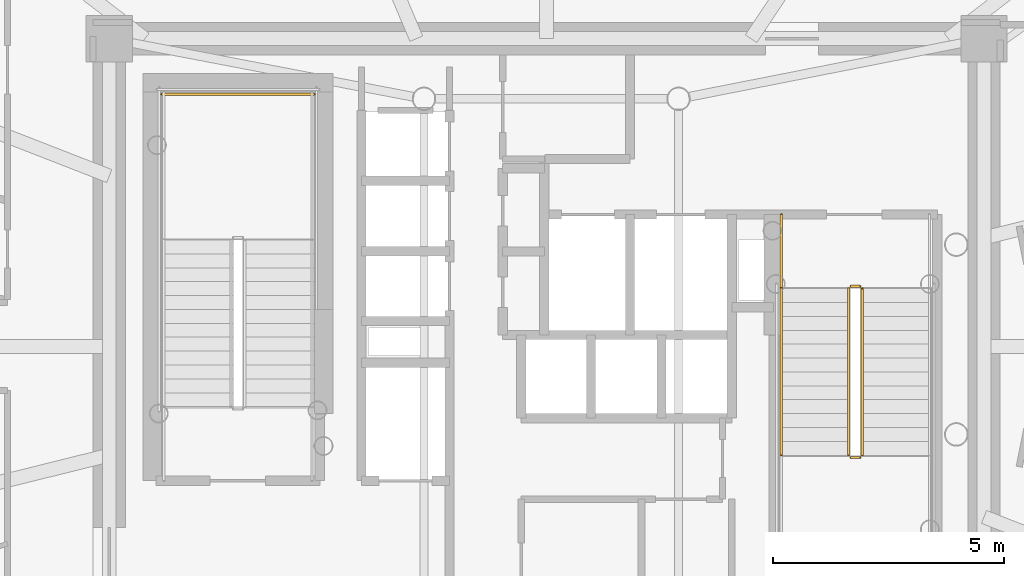
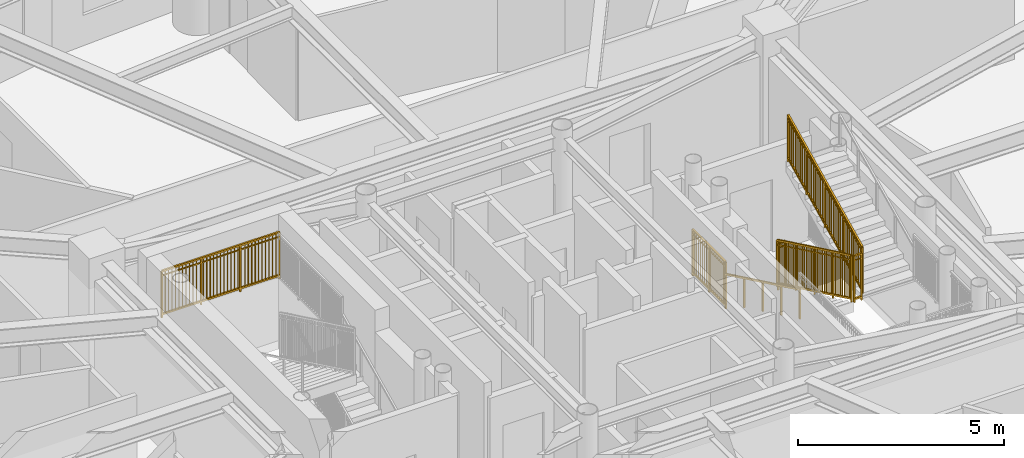
# One storey, part 16 of 18: 7 railings.
"""IFC4 building model written with IfcOpenShell, lengths in metres."""

from ifc_helpers import new_model, si_unit, direction, frame, origin, origin_2d, place, context, subcontext, project, spatial, rectangle, extrude, source, transform, mapped, material, type_object, element, save


model = new_model("IFC4")

# Units and contexts
model_context = context("Model", 3, precision=1e-05, world=origin(), true_north=direction((0.0, 1.0)))
body_context = subcontext(model_context, "Body", "Model", "MODEL_VIEW")
ifc_project = project(units=[si_unit("LENGTHUNIT", "METRE"), si_unit("AREAUNIT", "SQUARE_METRE"), si_unit("VOLUMEUNIT", "CUBIC_METRE"), si_unit("PLANEANGLEUNIT", "RADIAN"), si_unit("MASSUNIT", "GRAM", prefix="KILO")], contexts=[model_context])

# Site, building, storey
site_placement = place(None, origin())
site = spatial("IfcSite", under=ifc_project, at=site_placement, CompositionType="ELEMENT")
building_placement = place(site_placement, origin())
building = spatial("IfcBuilding", under=site, at=building_placement, Name="Linh Dai School and Residence Tower", CompositionType="ELEMENT")
storey_placement = place(building_placement, frame((0.0, 0.0, 244.050048828125)))
storey = spatial("IfcBuildingStorey", under=building, at=storey_placement, Name="L60", CompositionType="ELEMENT", Elevation=244.050048828125)

# Railings
ifc_material_1 = material(Name="Structural Steel S355JR", Category="steel")
railing_type_1 = type_object("IfcRailingType", Name="RL-ST-GUARD-1400", PredefinedType="GUARDRAIL", material=ifc_material_1)
shared_shape_1 = source(origin(), body_context, "Body", "SweptSolid", [
    extrude(rectangle(XDim=0.048095703125, YDim=0.048095703125, at=origin_2d()), frame((0.0, 0.0, 1.3759765625), z_axis=(-1.0, 0.0, 0.0), x_axis=(0.0, -1.0, 0.0)), (0.0, 0.0, 1.0), 3.300048828125),
    extrude(rectangle(XDim=0.048095703125, YDim=0.048095703125, at=origin_2d()), frame((0.0, 0.0, 0.10009765625), z_axis=(-1.0, 0.0, 0.0), x_axis=(0.0, -1.0, 0.0)), (0.0, 0.0, 1.0), 3.300048828125),
    extrude(rectangle(XDim=0.030029296875, YDim=0.030029296875, at=origin_2d()), frame((0.0, 0.0, 1.239990234375), z_axis=(-1.0, 0.0, 0.0), x_axis=(0.0, -1.0, 0.0)), (0.0, 0.0, 1.0), 3.300048828125),
    extrude(rectangle(XDim=0.02001953125, YDim=0.02001953125, at=origin_2d()), frame((-0.09716796875, 0.0, 0.10009765625)), (0.0, 0.0, 1.0), 1.251708984375),
    extrude(rectangle(XDim=0.02001953125, YDim=0.02001953125, at=origin_2d()), frame((-0.194091796875, 0.0, 0.10009765625)), (0.0, 0.0, 1.0), 1.251708984375),
    extrude(rectangle(XDim=0.02001953125, YDim=0.02001953125, at=origin_2d()), frame((-0.291259765625, 0.0, 0.10009765625)), (0.0, 0.0, 1.0), 1.251708984375),
    extrude(rectangle(XDim=0.02001953125, YDim=0.02001953125, at=origin_2d()), frame((-0.38818359375, 0.0, 0.10009765625)), (0.0, 0.0, 1.0), 1.251708984375),
    extrude(rectangle(XDim=0.02001953125, YDim=0.02001953125, at=origin_2d()), frame((-0.4853515625, 0.0, 0.10009765625)), (0.0, 0.0, 1.0), 1.251708984375),
    extrude(rectangle(XDim=0.02001953125, YDim=0.02001953125, at=origin_2d()), frame((-0.582275390625, 0.0, 0.10009765625)), (0.0, 0.0, 1.0), 1.251708984375),
    extrude(rectangle(XDim=0.02001953125, YDim=0.02001953125, at=origin_2d()), frame((-0.679443359375, 0.0, 0.10009765625)), (0.0, 0.0, 1.0), 1.251708984375),
    extrude(rectangle(XDim=0.02001953125, YDim=0.02001953125, at=origin_2d()), frame((-0.7763671875, 0.0, 0.10009765625)), (0.0, 0.0, 1.0), 1.251708984375),
    extrude(rectangle(XDim=0.02001953125, YDim=0.02001953125, at=origin_2d()), frame((-0.87353515625, 0.0, 0.10009765625)), (0.0, 0.0, 1.0), 1.251708984375),
    extrude(rectangle(XDim=0.02001953125, YDim=0.02001953125, at=origin_2d()), frame((-0.970703125, 0.0, 0.10009765625)), (0.0, 0.0, 1.0), 1.251708984375),
    extrude(rectangle(XDim=0.02001953125, YDim=0.02001953125, at=origin_2d()), frame((-1.164794921875, 0.0, 0.10009765625)), (0.0, 0.0, 1.0), 1.251708984375),
    extrude(rectangle(XDim=0.02001953125, YDim=0.02001953125, at=origin_2d()), frame((-1.26171875, 0.0, 0.10009765625)), (0.0, 0.0, 1.0), 1.251708984375),
    extrude(rectangle(XDim=0.02001953125, YDim=0.02001953125, at=origin_2d()), frame((-1.35888671875, 0.0, 0.10009765625)), (0.0, 0.0, 1.0), 1.251708984375),
    extrude(rectangle(XDim=0.02001953125, YDim=0.02001953125, at=origin_2d()), frame((-1.455810546875, 0.0, 0.10009765625)), (0.0, 0.0, 1.0), 1.251708984375),
    extrude(rectangle(XDim=0.02001953125, YDim=0.02001953125, at=origin_2d()), frame((-1.552978515625, 0.0, 0.10009765625)), (0.0, 0.0, 1.0), 1.251708984375),
    extrude(rectangle(XDim=0.02001953125, YDim=0.02001953125, at=origin_2d()), frame((-1.64990234375, 0.0, 0.10009765625)), (0.0, 0.0, 1.0), 1.251708984375),
    extrude(rectangle(XDim=0.02001953125, YDim=0.02001953125, at=origin_2d()), frame((-1.7470703125, 0.0, 0.10009765625)), (0.0, 0.0, 1.0), 1.251708984375),
    extrude(rectangle(XDim=0.02001953125, YDim=0.02001953125, at=origin_2d()), frame((-1.84423828125, 0.0, 0.10009765625)), (0.0, 0.0, 1.0), 1.251708984375),
    extrude(rectangle(XDim=0.02001953125, YDim=0.02001953125, at=origin_2d()), frame((-1.941162109375, 0.0, 0.10009765625)), (0.0, 0.0, 1.0), 1.251708984375),
    extrude(rectangle(XDim=0.02001953125, YDim=0.02001953125, at=origin_2d()), frame((-2.038330078125, 0.0, 0.10009765625)), (0.0, 0.0, 1.0), 1.251708984375),
    extrude(rectangle(XDim=0.02001953125, YDim=0.02001953125, at=origin_2d()), frame((-2.13525390625, 0.0, 0.10009765625)), (0.0, 0.0, 1.0), 1.251708984375),
    extrude(rectangle(XDim=0.02001953125, YDim=0.02001953125, at=origin_2d()), frame((-2.329345703125, 0.0, 0.10009765625)), (0.0, 0.0, 1.0), 1.251708984375),
    extrude(rectangle(XDim=0.02001953125, YDim=0.02001953125, at=origin_2d()), frame((-2.426513671875, 0.0, 0.10009765625)), (0.0, 0.0, 1.0), 1.251708984375),
    extrude(rectangle(XDim=0.02001953125, YDim=0.02001953125, at=origin_2d()), frame((-2.523681640625, 0.0, 0.10009765625)), (0.0, 0.0, 1.0), 1.251708984375),
    extrude(rectangle(XDim=0.02001953125, YDim=0.02001953125, at=origin_2d()), frame((-2.62060546875, 0.0, 0.10009765625)), (0.0, 0.0, 1.0), 1.251708984375),
    extrude(rectangle(XDim=0.02001953125, YDim=0.02001953125, at=origin_2d()), frame((-2.7177734375, 0.0, 0.10009765625)), (0.0, 0.0, 1.0), 1.251708984375),
    extrude(rectangle(XDim=0.02001953125, YDim=0.02001953125, at=origin_2d()), frame((-2.814697265625, 0.0, 0.10009765625)), (0.0, 0.0, 1.0), 1.251708984375),
    extrude(rectangle(XDim=0.02001953125, YDim=0.02001953125, at=origin_2d()), frame((-2.911865234375, 0.0, 0.10009765625)), (0.0, 0.0, 1.0), 1.251708984375),
    extrude(rectangle(XDim=0.02001953125, YDim=0.02001953125, at=origin_2d()), frame((-3.0087890625, 0.0, 0.10009765625)), (0.0, 0.0, 1.0), 1.251708984375),
    extrude(rectangle(XDim=0.02001953125, YDim=0.02001953125, at=origin_2d()), frame((-3.10595703125, 0.0, 0.10009765625)), (0.0, 0.0, 1.0), 1.251708984375),
    extrude(rectangle(XDim=0.02001953125, YDim=0.02001953125, at=origin_2d()), frame((-3.202880859375, 0.0, 0.10009765625)), (0.0, 0.0, 1.0), 1.251708984375),
    extrude(rectangle(XDim=0.0419921875, YDim=0.0419921875, at=origin_2d()), origin(), (0.0, 0.0, 1.0), 1.3759765625),
    extrude(rectangle(XDim=0.0419921875, YDim=0.0419921875, at=origin_2d()), frame((-1.10009765625, 0.0, 0.0)), (0.0, 0.0, 1.0), 1.3759765625),
    extrude(rectangle(XDim=0.0419921875, YDim=0.0419921875, at=origin_2d()), frame((-2.199951171875, 0.0, 0.0)), (0.0, 0.0, 1.0), 1.3759765625),
    extrude(rectangle(XDim=0.0419921875, YDim=0.0419921875, at=origin_2d()), frame((-3.300048828125, 0.0, 0.0)), (0.0, 0.0, 1.0), 1.3759765625),
])
railing_1_placement = place(storey_placement, frame((30.97998046875, 32.449951171875, 1.875)))
element("IfcRailing", 1, at=railing_1_placement, inside=storey, type_object=railing_type_1, Name="L60 ST1 stair guard 5", PredefinedType="GUARDRAIL", context=body_context, shape_type="MappedRepresentation", body=[
    mapped(shared_shape_1, transform((0.0, 0.0, 0.0), x_axis=(1.0, 0.0, 0.0), y_axis=(0.0, 1.0, 0.0), z_axis=(0.0, 0.0, 1.0), scale=1.0)),
])
shared_shape_2 = source(origin(), body_context, "Body", "SweptSolid", [
    extrude(rectangle(XDim=0.048095703125, YDim=0.048095703125, at=origin_2d()), frame((0.0, 0.0, 1.3759765625), z_axis=(0.0, 0.901262522062, 0.433273431364), x_axis=(-1.0, 0.0, 0.0)), (0.0, 0.0, 1.0), 3.994384765625),
    extrude(rectangle(XDim=0.048095703125, YDim=0.048095703125, at=origin_2d()), frame((0.0, 0.0, 0.10009765625), z_axis=(0.0, 0.901262522062, 0.433273431364), x_axis=(-1.0, 0.0, 0.0)), (0.0, 0.0, 1.0), 3.994384765625),
    extrude(rectangle(XDim=0.030029296875, YDim=0.030029296875, at=origin_2d()), frame((0.0, 0.0, 1.239990234375), z_axis=(0.0, 0.901262522062, 0.433273431364), x_axis=(-1.0, 0.0, 0.0)), (0.0, 0.0, 1.0), 3.994384765625),
    extrude(rectangle(XDim=0.02001953125, YDim=0.02001953125, at=origin_2d()), frame((0.0, 0.087890625, 0.142333984375)), (0.0, 0.0, 1.0), 1.251708984375),
    extrude(rectangle(XDim=0.02001953125, YDim=0.02001953125, at=origin_2d()), frame((0.0, 0.175537109375, 0.1845703125)), (0.0, 0.0, 1.0), 1.251708984375),
    extrude(rectangle(XDim=0.02001953125, YDim=0.02001953125, at=origin_2d()), frame((0.0, 0.263427734375, 0.226806640625)), (0.0, 0.0, 1.0), 1.251708984375),
    extrude(rectangle(XDim=0.02001953125, YDim=0.02001953125, at=origin_2d()), frame((0.0, 0.351318359375, 0.26904296875)), (0.0, 0.0, 1.0), 1.251708984375),
    extrude(rectangle(XDim=0.02001953125, YDim=0.02001953125, at=origin_2d()), frame((0.0, 0.43896484375, 0.311279296875)), (0.0, 0.0, 1.0), 1.251708984375),
    extrude(rectangle(XDim=0.02001953125, YDim=0.02001953125, at=origin_2d()), frame((0.0, 0.52685546875, 0.353271484375)), (0.0, 0.0, 1.0), 1.251708984375),
    extrude(rectangle(XDim=0.02001953125, YDim=0.02001953125, at=origin_2d()), frame((0.0, 0.61474609375, 0.3955078125)), (0.0, 0.0, 1.0), 1.251708984375),
    extrude(rectangle(XDim=0.02001953125, YDim=0.02001953125, at=origin_2d()), frame((0.0, 0.702392578125, 0.437744140625)), (0.0, 0.0, 1.0), 1.251708984375),
    extrude(rectangle(XDim=0.02001953125, YDim=0.02001953125, at=origin_2d()), frame((0.0, 0.790283203125, 0.47998046875)), (0.0, 0.0, 1.0), 1.251708984375),
    extrude(rectangle(XDim=0.02001953125, YDim=0.02001953125, at=origin_2d()), frame((0.0, 0.9658203125, 0.564453125)), (0.0, 0.0, 1.0), 1.251708984375),
    extrude(rectangle(XDim=0.02001953125, YDim=0.02001953125, at=origin_2d()), frame((0.0, 1.0537109375, 0.606689453125)), (0.0, 0.0, 1.0), 1.251708984375),
    extrude(rectangle(XDim=0.02001953125, YDim=0.02001953125, at=origin_2d()), frame((0.0, 1.1416015625, 0.64892578125)), (0.0, 0.0, 1.0), 1.251708984375),
    extrude(rectangle(XDim=0.02001953125, YDim=0.02001953125, at=origin_2d()), frame((0.0, 1.229248046875, 0.691162109375)), (0.0, 0.0, 1.0), 1.251708984375),
    extrude(rectangle(XDim=0.02001953125, YDim=0.02001953125, at=origin_2d()), frame((0.0, 1.317138671875, 0.7333984375)), (0.0, 0.0, 1.0), 1.251708984375),
    extrude(rectangle(XDim=0.02001953125, YDim=0.02001953125, at=origin_2d()), frame((0.0, 1.405029296875, 0.775390625)), (0.0, 0.0, 1.0), 1.251708984375),
    extrude(rectangle(XDim=0.02001953125, YDim=0.02001953125, at=origin_2d()), frame((0.0, 1.49267578125, 0.817626953125)), (0.0, 0.0, 1.0), 1.251708984375),
    extrude(rectangle(XDim=0.02001953125, YDim=0.02001953125, at=origin_2d()), frame((0.0, 1.58056640625, 0.85986328125)), (0.0, 0.0, 1.0), 1.251708984375),
    extrude(rectangle(XDim=0.02001953125, YDim=0.02001953125, at=origin_2d()), frame((0.0, 1.66845703125, 0.902099609375)), (0.0, 0.0, 1.0), 1.251708984375),
    extrude(rectangle(XDim=0.02001953125, YDim=0.02001953125, at=origin_2d()), frame((0.0, 1.756103515625, 0.9443359375)), (0.0, 0.0, 1.0), 1.251708984375),
    extrude(rectangle(XDim=0.02001953125, YDim=0.02001953125, at=origin_2d()), frame((0.0, 1.843994140625, 0.986572265625)), (0.0, 0.0, 1.0), 1.251708984375),
    extrude(rectangle(XDim=0.02001953125, YDim=0.02001953125, at=origin_2d()), frame((0.0, 1.931640625, 1.02880859375)), (0.0, 0.0, 1.0), 1.251708984375),
    extrude(rectangle(XDim=0.02001953125, YDim=0.02001953125, at=origin_2d()), frame((0.0, 2.01953125, 1.071044921875)), (0.0, 0.0, 1.0), 1.251708984375),
    extrude(rectangle(XDim=0.02001953125, YDim=0.02001953125, at=origin_2d()), frame((0.0, 2.107421875, 1.11328125)), (0.0, 0.0, 1.0), 1.251708984375),
    extrude(rectangle(XDim=0.02001953125, YDim=0.02001953125, at=origin_2d()), frame((0.0, 2.195068359375, 1.155517578125)), (0.0, 0.0, 1.0), 1.251708984375),
    extrude(rectangle(XDim=0.02001953125, YDim=0.02001953125, at=origin_2d()), frame((0.0, 2.282958984375, 1.197509765625)), (0.0, 0.0, 1.0), 1.251708984375),
    extrude(rectangle(XDim=0.02001953125, YDim=0.02001953125, at=origin_2d()), frame((0.0, 2.370849609375, 1.23974609375)), (0.0, 0.0, 1.0), 1.251708984375),
    extrude(rectangle(XDim=0.02001953125, YDim=0.02001953125, at=origin_2d()), frame((0.0, 2.45849609375, 1.281982421875)), (0.0, 0.0, 1.0), 1.251708984375),
    extrude(rectangle(XDim=0.02001953125, YDim=0.02001953125, at=origin_2d()), frame((0.0, 2.54638671875, 1.32421875)), (0.0, 0.0, 1.0), 1.251708984375),
    extrude(rectangle(XDim=0.02001953125, YDim=0.02001953125, at=origin_2d()), frame((0.0, 2.63427734375, 1.366455078125)), (0.0, 0.0, 1.0), 1.251708984375),
    extrude(rectangle(XDim=0.02001953125, YDim=0.02001953125, at=origin_2d()), frame((0.0, 2.809814453125, 1.450927734375)), (0.0, 0.0, 1.0), 1.251708984375),
    extrude(rectangle(XDim=0.02001953125, YDim=0.02001953125, at=origin_2d()), frame((0.0, 2.897705078125, 1.4931640625)), (0.0, 0.0, 1.0), 1.251708984375),
    extrude(rectangle(XDim=0.02001953125, YDim=0.02001953125, at=origin_2d()), frame((0.0, 2.9853515625, 1.535400390625)), (0.0, 0.0, 1.0), 1.251708984375),
    extrude(rectangle(XDim=0.02001953125, YDim=0.02001953125, at=origin_2d()), frame((0.0, 3.0732421875, 1.57763671875)), (0.0, 0.0, 1.0), 1.251708984375),
    extrude(rectangle(XDim=0.02001953125, YDim=0.02001953125, at=origin_2d()), frame((0.0, 3.1611328125, 1.61962890625)), (0.0, 0.0, 1.0), 1.251708984375),
    extrude(rectangle(XDim=0.02001953125, YDim=0.02001953125, at=origin_2d()), frame((0.0, 3.248779296875, 1.661865234375)), (0.0, 0.0, 1.0), 1.251708984375),
    extrude(rectangle(XDim=0.02001953125, YDim=0.02001953125, at=origin_2d()), frame((0.0, 3.336669921875, 1.7041015625)), (0.0, 0.0, 1.0), 1.251708984375),
    extrude(rectangle(XDim=0.02001953125, YDim=0.02001953125, at=origin_2d()), frame((0.0, 3.424560546875, 1.746337890625)), (0.0, 0.0, 1.0), 1.251708984375),
    extrude(rectangle(XDim=0.02001953125, YDim=0.02001953125, at=origin_2d()), frame((0.0, 3.51220703125, 1.78857421875)), (0.0, 0.0, 1.0), 1.251708984375),
    extrude(rectangle(XDim=0.0419921875, YDim=0.0419921875, at=origin_2d()), origin(), (0.0, 0.0, 1.0), 1.3759765625),
    extrude(rectangle(XDim=0.0419921875, YDim=0.0419921875, at=origin_2d()), frame((0.0, 0.89990234375, 0.4326171875)), (0.0, 0.0, 1.0), 1.3759765625),
    extrude(rectangle(XDim=0.0419921875, YDim=0.0419921875, at=origin_2d()), frame((0.0, 1.800048828125, 0.865234375)), (0.0, 0.0, 1.0), 1.3759765625),
    extrude(rectangle(XDim=0.0419921875, YDim=0.0419921875, at=origin_2d()), frame((0.0, 2.7001953125, 1.298095703125)), (0.0, 0.0, 1.0), 1.3759765625),
    extrude(rectangle(XDim=0.0419921875, YDim=0.0419921875, at=origin_2d()), frame((0.0, 3.60009765625, 1.730712890625)), (0.0, 0.0, 1.0), 1.3759765625),
])
railing_2_placement = place(storey_placement, frame((42.820068359375, 24.64990234375, 2.019287109375)))
element("IfcRailing", 2, at=railing_2_placement, inside=storey, type_object=railing_type_1, Name="L60 ST2 stair guard 6", PredefinedType="GUARDRAIL", context=body_context, shape_type="MappedRepresentation", body=[
    mapped(shared_shape_2, transform((0.0, 0.0, 0.0), x_axis=(1.0, 0.0, 0.0), y_axis=(0.0, 1.0, 0.0), z_axis=(0.0, 0.0, 1.0), scale=1.0)),
])
shared_shape_3 = source(origin(), body_context, "Body", "SweptSolid", [
    extrude(rectangle(XDim=0.048095703125, YDim=0.048095703125, at=origin_2d()), frame((0.0, 0.0, 1.3759765625), z_axis=(0.0, -0.901262522062, 0.433273431364), x_axis=(1.0, 0.0, 0.0)), (0.0, 0.0, 1.0), 3.994384765625),
    extrude(rectangle(XDim=0.048095703125, YDim=0.048095703125, at=origin_2d()), frame((0.0, 0.0, 0.10009765625), z_axis=(0.0, -0.901262522062, 0.433273431364), x_axis=(1.0, 0.0, 0.0)), (0.0, 0.0, 1.0), 3.994384765625),
    extrude(rectangle(XDim=0.030029296875, YDim=0.030029296875, at=origin_2d()), frame((0.0, 0.0, 1.239990234375), z_axis=(0.0, -0.901262522062, 0.433273431364), x_axis=(1.0, 0.0, 0.0)), (0.0, 0.0, 1.0), 3.994384765625),
    extrude(rectangle(XDim=0.02001953125, YDim=0.02001953125, at=origin_2d()), frame((0.0, -0.087890625, 0.142333984375)), (0.0, 0.0, 1.0), 1.251708984375),
    extrude(rectangle(XDim=0.02001953125, YDim=0.02001953125, at=origin_2d()), frame((0.0, -0.175537109375, 0.1845703125)), (0.0, 0.0, 1.0), 1.251708984375),
    extrude(rectangle(XDim=0.02001953125, YDim=0.02001953125, at=origin_2d()), frame((0.0, -0.263427734375, 0.226806640625)), (0.0, 0.0, 1.0), 1.251708984375),
    extrude(rectangle(XDim=0.02001953125, YDim=0.02001953125, at=origin_2d()), frame((0.0, -0.351318359375, 0.26904296875)), (0.0, 0.0, 1.0), 1.251708984375),
    extrude(rectangle(XDim=0.02001953125, YDim=0.02001953125, at=origin_2d()), frame((0.0, -0.43896484375, 0.311279296875)), (0.0, 0.0, 1.0), 1.251708984375),
    extrude(rectangle(XDim=0.02001953125, YDim=0.02001953125, at=origin_2d()), frame((0.0, -0.52685546875, 0.353271484375)), (0.0, 0.0, 1.0), 1.251708984375),
    extrude(rectangle(XDim=0.02001953125, YDim=0.02001953125, at=origin_2d()), frame((0.0, -0.61474609375, 0.3955078125)), (0.0, 0.0, 1.0), 1.251708984375),
    extrude(rectangle(XDim=0.02001953125, YDim=0.02001953125, at=origin_2d()), frame((0.0, -0.702392578125, 0.437744140625)), (0.0, 0.0, 1.0), 1.251708984375),
    extrude(rectangle(XDim=0.02001953125, YDim=0.02001953125, at=origin_2d()), frame((0.0, -0.790283203125, 0.47998046875)), (0.0, 0.0, 1.0), 1.251708984375),
    extrude(rectangle(XDim=0.02001953125, YDim=0.02001953125, at=origin_2d()), frame((0.0, -0.9658203125, 0.564453125)), (0.0, 0.0, 1.0), 1.251708984375),
    extrude(rectangle(XDim=0.02001953125, YDim=0.02001953125, at=origin_2d()), frame((0.0, -1.0537109375, 0.606689453125)), (0.0, 0.0, 1.0), 1.251708984375),
    extrude(rectangle(XDim=0.02001953125, YDim=0.02001953125, at=origin_2d()), frame((0.0, -1.1416015625, 0.64892578125)), (0.0, 0.0, 1.0), 1.251708984375),
    extrude(rectangle(XDim=0.02001953125, YDim=0.02001953125, at=origin_2d()), frame((0.0, -1.229248046875, 0.691162109375)), (0.0, 0.0, 1.0), 1.251708984375),
    extrude(rectangle(XDim=0.02001953125, YDim=0.02001953125, at=origin_2d()), frame((0.0, -1.317138671875, 0.7333984375)), (0.0, 0.0, 1.0), 1.251708984375),
    extrude(rectangle(XDim=0.02001953125, YDim=0.02001953125, at=origin_2d()), frame((0.0, -1.405029296875, 0.775390625)), (0.0, 0.0, 1.0), 1.251708984375),
    extrude(rectangle(XDim=0.02001953125, YDim=0.02001953125, at=origin_2d()), frame((0.0, -1.49267578125, 0.817626953125)), (0.0, 0.0, 1.0), 1.251708984375),
    extrude(rectangle(XDim=0.02001953125, YDim=0.02001953125, at=origin_2d()), frame((0.0, -1.58056640625, 0.85986328125)), (0.0, 0.0, 1.0), 1.251708984375),
    extrude(rectangle(XDim=0.02001953125, YDim=0.02001953125, at=origin_2d()), frame((0.0, -1.66845703125, 0.902099609375)), (0.0, 0.0, 1.0), 1.251708984375),
    extrude(rectangle(XDim=0.02001953125, YDim=0.02001953125, at=origin_2d()), frame((0.0, -1.756103515625, 0.9443359375)), (0.0, 0.0, 1.0), 1.251708984375),
    extrude(rectangle(XDim=0.02001953125, YDim=0.02001953125, at=origin_2d()), frame((0.0, -1.843994140625, 0.986572265625)), (0.0, 0.0, 1.0), 1.251708984375),
    extrude(rectangle(XDim=0.02001953125, YDim=0.02001953125, at=origin_2d()), frame((0.0, -1.931640625, 1.02880859375)), (0.0, 0.0, 1.0), 1.251708984375),
    extrude(rectangle(XDim=0.02001953125, YDim=0.02001953125, at=origin_2d()), frame((0.0, -2.01953125, 1.071044921875)), (0.0, 0.0, 1.0), 1.251708984375),
    extrude(rectangle(XDim=0.02001953125, YDim=0.02001953125, at=origin_2d()), frame((0.0, -2.107421875, 1.11328125)), (0.0, 0.0, 1.0), 1.251708984375),
    extrude(rectangle(XDim=0.02001953125, YDim=0.02001953125, at=origin_2d()), frame((0.0, -2.195068359375, 1.155517578125)), (0.0, 0.0, 1.0), 1.251708984375),
    extrude(rectangle(XDim=0.02001953125, YDim=0.02001953125, at=origin_2d()), frame((0.0, -2.282958984375, 1.197509765625)), (0.0, 0.0, 1.0), 1.251708984375),
    extrude(rectangle(XDim=0.02001953125, YDim=0.02001953125, at=origin_2d()), frame((0.0, -2.370849609375, 1.23974609375)), (0.0, 0.0, 1.0), 1.251708984375),
    extrude(rectangle(XDim=0.02001953125, YDim=0.02001953125, at=origin_2d()), frame((0.0, -2.45849609375, 1.281982421875)), (0.0, 0.0, 1.0), 1.251708984375),
    extrude(rectangle(XDim=0.02001953125, YDim=0.02001953125, at=origin_2d()), frame((0.0, -2.54638671875, 1.32421875)), (0.0, 0.0, 1.0), 1.251708984375),
    extrude(rectangle(XDim=0.02001953125, YDim=0.02001953125, at=origin_2d()), frame((0.0, -2.63427734375, 1.366455078125)), (0.0, 0.0, 1.0), 1.251708984375),
    extrude(rectangle(XDim=0.02001953125, YDim=0.02001953125, at=origin_2d()), frame((0.0, -2.809814453125, 1.450927734375)), (0.0, 0.0, 1.0), 1.251708984375),
    extrude(rectangle(XDim=0.02001953125, YDim=0.02001953125, at=origin_2d()), frame((0.0, -2.897705078125, 1.4931640625)), (0.0, 0.0, 1.0), 1.251708984375),
    extrude(rectangle(XDim=0.02001953125, YDim=0.02001953125, at=origin_2d()), frame((0.0, -2.9853515625, 1.535400390625)), (0.0, 0.0, 1.0), 1.251708984375),
    extrude(rectangle(XDim=0.02001953125, YDim=0.02001953125, at=origin_2d()), frame((0.0, -3.0732421875, 1.57763671875)), (0.0, 0.0, 1.0), 1.251708984375),
    extrude(rectangle(XDim=0.02001953125, YDim=0.02001953125, at=origin_2d()), frame((0.0, -3.1611328125, 1.61962890625)), (0.0, 0.0, 1.0), 1.251708984375),
    extrude(rectangle(XDim=0.02001953125, YDim=0.02001953125, at=origin_2d()), frame((0.0, -3.248779296875, 1.661865234375)), (0.0, 0.0, 1.0), 1.251708984375),
    extrude(rectangle(XDim=0.02001953125, YDim=0.02001953125, at=origin_2d()), frame((0.0, -3.336669921875, 1.7041015625)), (0.0, 0.0, 1.0), 1.251708984375),
    extrude(rectangle(XDim=0.02001953125, YDim=0.02001953125, at=origin_2d()), frame((0.0, -3.424560546875, 1.746337890625)), (0.0, 0.0, 1.0), 1.251708984375),
    extrude(rectangle(XDim=0.02001953125, YDim=0.02001953125, at=origin_2d()), frame((0.0, -3.51220703125, 1.78857421875)), (0.0, 0.0, 1.0), 1.251708984375),
    extrude(rectangle(XDim=0.0419921875, YDim=0.0419921875, at=origin_2d()), origin(), (0.0, 0.0, 1.0), 1.3759765625),
    extrude(rectangle(XDim=0.0419921875, YDim=0.0419921875, at=origin_2d()), frame((0.0, -0.89990234375, 0.4326171875)), (0.0, 0.0, 1.0), 1.3759765625),
    extrude(rectangle(XDim=0.0419921875, YDim=0.0419921875, at=origin_2d()), frame((0.0, -1.800048828125, 0.865234375)), (0.0, 0.0, 1.0), 1.3759765625),
    extrude(rectangle(XDim=0.0419921875, YDim=0.0419921875, at=origin_2d()), frame((0.0, -2.7001953125, 1.298095703125)), (0.0, 0.0, 1.0), 1.3759765625),
    extrude(rectangle(XDim=0.0419921875, YDim=0.0419921875, at=origin_2d()), frame((0.0, -3.60009765625, 1.730712890625)), (0.0, 0.0, 1.0), 1.3759765625),
])
railing_3_placement = place(storey_placement, frame((42.52001953125, 28.25, 0.144287109375)))
element("IfcRailing", 3, at=railing_3_placement, inside=storey, type_object=railing_type_1, Name="L60 ST2 stair guard 1", PredefinedType="GUARDRAIL", context=body_context, shape_type="MappedRepresentation", body=[
    mapped(shared_shape_3, transform((0.0, 0.0, 0.0), x_axis=(1.0, 0.0, 0.0), y_axis=(0.0, 1.0, 0.0), z_axis=(0.0, 0.0, 1.0), scale=1.0)),
])
ifc_material_2 = material(Name="Brushed Stainless Steel Handrail", Category="steel")
railing_type_2 = type_object("IfcRailingType", Name="RL-ST-HANDRAIL-900", PredefinedType="HANDRAIL", material=ifc_material_2)
shared_shape_4 = source(origin(), body_context, "Body", "SweptSolid", [
    extrude(rectangle(XDim=0.048095703125, YDim=0.048095703125, at=origin_2d()), frame((0.0, 0.0, 0.8759765625), z_axis=(0.0, -0.901262522062, 0.433273431364), x_axis=(1.0, 0.0, 0.0)), (0.0, 0.0, 1.0), 3.994384765625),
    extrude(rectangle(XDim=0.0419921875, YDim=0.0419921875, at=origin_2d()), origin(), (0.0, 0.0, 1.0), 0.8759765625),
    extrude(rectangle(XDim=0.0419921875, YDim=0.0419921875, at=origin_2d()), frame((0.0, -0.89990234375, 0.4326171875)), (0.0, 0.0, 1.0), 0.8759765625),
    extrude(rectangle(XDim=0.0419921875, YDim=0.0419921875, at=origin_2d()), frame((0.0, -1.800048828125, 0.865234375)), (0.0, 0.0, 1.0), 0.8759765625),
    extrude(rectangle(XDim=0.0419921875, YDim=0.0419921875, at=origin_2d()), frame((0.0, -2.7001953125, 1.298095703125)), (0.0, 0.0, 1.0), 0.8759765625),
    extrude(rectangle(XDim=0.0419921875, YDim=0.0419921875, at=origin_2d()), frame((0.0, -3.60009765625, 1.730712890625)), (0.0, 0.0, 1.0), 0.8759765625),
])
railing_4_placement = place(storey_placement, frame((41.070068359375, 28.25, 0.144287109375)))
element("IfcRailing", 4, at=railing_4_placement, inside=storey, type_object=railing_type_2, Name="L60 ST2 stair handrail 1", PredefinedType="HANDRAIL", context=body_context, shape_type="MappedRepresentation", body=[
    mapped(shared_shape_4, transform((0.0, 0.0, 0.0), x_axis=(1.0, 0.0, 0.0), y_axis=(0.0, 1.0, 0.0), z_axis=(0.0, 0.0, 1.0), scale=1.0)),
])
shared_shape_5 = source(origin(), body_context, "Body", "SweptSolid", [
    extrude(rectangle(XDim=0.048095703125, YDim=0.048095703125, at=origin_2d()), frame((0.0, 0.0, 1.3759765625), z_axis=(1.0, 0.0, 0.0), x_axis=(0.0, 1.0, 0.0)), (0.0, 0.0, 1.0), 0.199951171875),
    extrude(rectangle(XDim=0.048095703125, YDim=0.048095703125, at=origin_2d()), frame((0.0, 0.0, 0.10009765625), z_axis=(1.0, 0.0, 0.0), x_axis=(0.0, 1.0, 0.0)), (0.0, 0.0, 1.0), 0.199951171875),
    extrude(rectangle(XDim=0.030029296875, YDim=0.030029296875, at=origin_2d()), frame((0.0, 0.0, 1.239990234375), z_axis=(1.0, 0.0, 0.0), x_axis=(0.0, 1.0, 0.0)), (0.0, 0.0, 1.0), 0.199951171875),
    extrude(rectangle(XDim=0.0419921875, YDim=0.0419921875, at=origin_2d()), origin(), (0.0, 0.0, 1.0), 1.3759765625),
    extrude(rectangle(XDim=0.0419921875, YDim=0.0419921875, at=origin_2d()), frame((0.199951171875, 0.0, 0.0)), (0.0, 0.0, 1.0), 1.3759765625),
])
for number, where, name in (
    (5, (42.570068359375, 24.60009765625, 1.875), "L60 ST2 stair guard 2"),
    (6, (42.570068359375, 28.300048828125, 0.0), "L60 ST2 stair guard 7"),
):
    element("IfcRailing", number, at=place(storey_placement, frame(where)), inside=storey, type_object=railing_type_1, Name=name, PredefinedType="GUARDRAIL", context=body_context, shape_type="MappedRepresentation", body=[
        mapped(shared_shape_5, transform((0.0, 0.0, 0.0), x_axis=(1.0, 0.0, 0.0), y_axis=(0.0, 1.0, 0.0), z_axis=(0.0, 0.0, 1.0), scale=1.0)),
    ])
shared_shape_6 = source(origin(), body_context, "Body", "SweptSolid", [
    extrude(rectangle(XDim=0.048095703125, YDim=0.048095703125, at=origin_2d()), frame((0.0, 0.0, 1.3759765625), z_axis=(0.0, -1.0, 0.0), x_axis=(1.0, 0.0, 0.0)), (0.0, 0.0, 1.0), 1.60009765625),
    extrude(rectangle(XDim=0.048095703125, YDim=0.048095703125, at=origin_2d()), frame((0.0, 0.0, 0.10009765625), z_axis=(0.0, -1.0, 0.0), x_axis=(1.0, 0.0, 0.0)), (0.0, 0.0, 1.0), 1.60009765625),
    extrude(rectangle(XDim=0.030029296875, YDim=0.030029296875, at=origin_2d()), frame((0.0, 0.0, 1.239990234375), z_axis=(0.0, -1.0, 0.0), x_axis=(1.0, 0.0, 0.0)), (0.0, 0.0, 1.0), 1.60009765625),
    extrude(rectangle(XDim=0.02001953125, YDim=0.02001953125, at=origin_2d()), frame((0.0, -0.09423828125, 0.10009765625)), (0.0, 0.0, 1.0), 1.251708984375),
    extrude(rectangle(XDim=0.02001953125, YDim=0.02001953125, at=origin_2d()), frame((0.0, -0.188232421875, 0.10009765625)), (0.0, 0.0, 1.0), 1.251708984375),
    extrude(rectangle(XDim=0.02001953125, YDim=0.02001953125, at=origin_2d()), frame((0.0, -0.282470703125, 0.10009765625)), (0.0, 0.0, 1.0), 1.251708984375),
    extrude(rectangle(XDim=0.02001953125, YDim=0.02001953125, at=origin_2d()), frame((0.0, -0.37646484375, 0.10009765625)), (0.0, 0.0, 1.0), 1.251708984375),
    extrude(rectangle(XDim=0.02001953125, YDim=0.02001953125, at=origin_2d()), frame((0.0, -0.470703125, 0.10009765625)), (0.0, 0.0, 1.0), 1.251708984375),
    extrude(rectangle(XDim=0.02001953125, YDim=0.02001953125, at=origin_2d()), frame((0.0, -0.564697265625, 0.10009765625)), (0.0, 0.0, 1.0), 1.251708984375),
    extrude(rectangle(XDim=0.02001953125, YDim=0.02001953125, at=origin_2d()), frame((0.0, -0.658935546875, 0.10009765625)), (0.0, 0.0, 1.0), 1.251708984375),
    extrude(rectangle(XDim=0.02001953125, YDim=0.02001953125, at=origin_2d()), frame((0.0, -0.7529296875, 0.10009765625)), (0.0, 0.0, 1.0), 1.251708984375),
    extrude(rectangle(XDim=0.02001953125, YDim=0.02001953125, at=origin_2d()), frame((0.0, -0.84716796875, 0.10009765625)), (0.0, 0.0, 1.0), 1.251708984375),
    extrude(rectangle(XDim=0.02001953125, YDim=0.02001953125, at=origin_2d()), frame((0.0, -0.941162109375, 0.10009765625)), (0.0, 0.0, 1.0), 1.251708984375),
    extrude(rectangle(XDim=0.02001953125, YDim=0.02001953125, at=origin_2d()), frame((0.0, -1.035400390625, 0.10009765625)), (0.0, 0.0, 1.0), 1.251708984375),
    extrude(rectangle(XDim=0.02001953125, YDim=0.02001953125, at=origin_2d()), frame((0.0, -1.12939453125, 0.10009765625)), (0.0, 0.0, 1.0), 1.251708984375),
    extrude(rectangle(XDim=0.02001953125, YDim=0.02001953125, at=origin_2d()), frame((0.0, -1.2236328125, 0.10009765625)), (0.0, 0.0, 1.0), 1.251708984375),
    extrude(rectangle(XDim=0.02001953125, YDim=0.02001953125, at=origin_2d()), frame((0.0, -1.317626953125, 0.10009765625)), (0.0, 0.0, 1.0), 1.251708984375),
    extrude(rectangle(XDim=0.02001953125, YDim=0.02001953125, at=origin_2d()), frame((0.0, -1.411865234375, 0.10009765625)), (0.0, 0.0, 1.0), 1.251708984375),
    extrude(rectangle(XDim=0.02001953125, YDim=0.02001953125, at=origin_2d()), frame((0.0, -1.505859375, 0.10009765625)), (0.0, 0.0, 1.0), 1.251708984375),
    extrude(rectangle(XDim=0.0419921875, YDim=0.0419921875, at=origin_2d()), origin(), (0.0, 0.0, 1.0), 1.3759765625),
    extrude(rectangle(XDim=0.0419921875, YDim=0.0419921875, at=origin_2d()), frame((0.0, -0.800048828125, 0.0)), (0.0, 0.0, 1.0), 1.3759765625),
    extrude(rectangle(XDim=0.0419921875, YDim=0.0419921875, at=origin_2d()), frame((0.0, -1.60009765625, 0.0)), (0.0, 0.0, 1.0), 1.3759765625),
])
railing_5_placement = place(storey_placement, frame((41.070068359375, 29.85009765625, 0.0)))
element("IfcRailing", 7, at=railing_5_placement, inside=storey, type_object=railing_type_1, Name="L60 ST2 stair guard 8", PredefinedType="GUARDRAIL", context=body_context, shape_type="MappedRepresentation", body=[
    mapped(shared_shape_6, transform((0.0, 0.0, 0.0), x_axis=(1.0, 0.0, 0.0), y_axis=(0.0, 1.0, 0.0), z_axis=(0.0, 0.0, 1.0), scale=1.0)),
])

save(model, "model.ifc")
